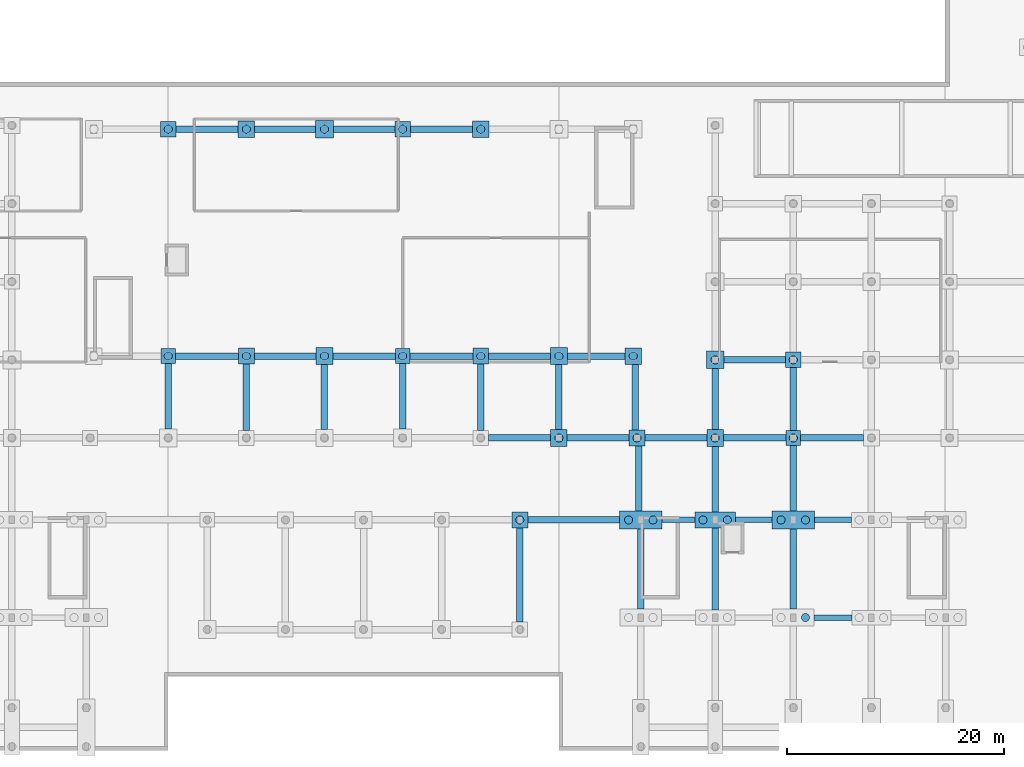
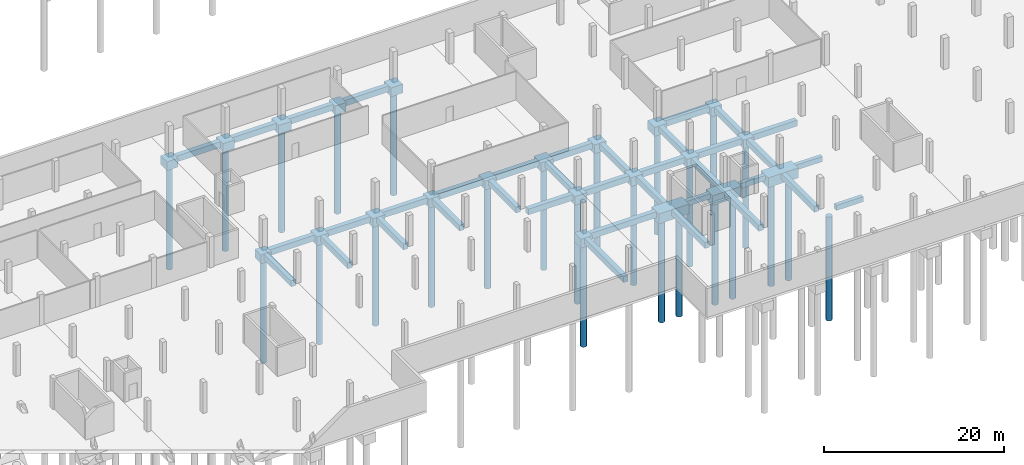
# One storey, part 5 of 36: 59 footings, 26 piles.
"""IFC4 building model written with IfcOpenShell, lengths in metres."""

from ifc_helpers import new_model, si_unit, derived_unit, direction, frame, origin, origin_2d, place, context, subcontext, project, spatial, polyline, rectangle, circle, outline, extrude, material, material_profile, profile_set, type_object, element, save


model = new_model("IFC4")

# Units and contexts
model_context = context("Model", 3, precision=1e-05, world=origin(), true_north=direction((0.0, 1.0)))
body_context = subcontext(model_context, "Body", "Model", "MODEL_VIEW")
ifc_project = project(units=[si_unit("LENGTHUNIT", "METRE"), si_unit("AREAUNIT", "SQUARE_METRE"), si_unit("VOLUMEUNIT", "CUBIC_METRE"), si_unit("PLANEANGLEUNIT", "RADIAN"), si_unit("MASSUNIT", "GRAM", prefix="KILO"), derived_unit("THERMALTRANSMITTANCEUNIT", [(si_unit("MASSUNIT", "GRAM", prefix="KILO"), 1), (si_unit("TIMEUNIT", "SECOND"), -3), (si_unit("THERMODYNAMICTEMPERATUREUNIT", "KELVIN"), -1)])], contexts=[model_context])

# Site, building, storey
site_placement = place(None, origin())
site = spatial("IfcSite", under=ifc_project, at=site_placement, CompositionType="ELEMENT")
building_placement = place(site_placement, origin())
building = spatial("IfcBuilding", under=site, at=building_placement, Name="Ochrekiln Boulevard Commons", CompositionType="ELEMENT")
storey_placement = place(building_placement, frame((0.0, 0.0, -4.199951171875)))
storey = spatial("IfcBuildingStorey", under=building, at=storey_placement, Name="B1", CompositionType="ELEMENT", Elevation=-4.199951171875)

# Footings
ifc_material = material(Name="Concrete C35/45", Category="concrete")
footing_type_1 = type_object("IfcFootingType", Name="CAP-RC-1350x1350x1200", PredefinedType="PILE_CAP", material=ifc_material)
for number, where, z_axis, x_axis, name in (
    (1, (64.800048828125, 36.35009765625, -1.5), (0.0, 0.0, 1.0), (1.0, 0.0, 0.0), "Reinforced Concrete Pile Cap PC-27 (84)"),
    (2, (86.39990234375, 36.35009765625, -1.5), (0.0, 0.0, 1.0), (1.0, 0.0, 0.0), "Reinforced Concrete Pile Cap PC-27 (108)"),
    (3, (122.39990234375, 28.800048828125, -1.5), (0.0, 0.0, 1.0), (1.0, 0.0, 0.0), "Reinforced Concrete Pile Cap PC-27 (150)"),
):
    element("IfcFooting", number, at=place(storey_placement, frame(where, z_axis=z_axis, x_axis=x_axis)), inside=storey, type_object=footing_type_1, Name=name, PredefinedType="PILE_CAP", context=body_context, shape_type="SweptSolid", body=[
        extrude(rectangle(XDim=1.35009765625, YDim=1.35009765625, at=origin_2d()), origin(), (0.0, 0.0, 1.0), 1.199951171875),
    ])
footing_type_2 = type_object("IfcFootingType", Name="CAP-RC-1410x1410x1200", PredefinedType="PILE_CAP", material=ifc_material)
for number, where, z_axis, x_axis, name in (
    (4, (64.800048828125, 57.25, -1.5), (0.0, 0.0, 1.0), (1.0, 0.0, 0.0), "Reinforced Concrete Pile Cap PC-28 (85)"),
    (5, (86.39990234375, 57.25, -1.5), (0.0, 0.0, 1.0), (1.0, 0.0, 0.0), "Reinforced Concrete Pile Cap PC-28 (109)"),
    (6, (122.39990234375, 36.0, -1.5), (0.0, 0.0, 1.0), (1.0, 0.0, 0.0), "Reinforced Concrete Pile Cap PC-28 (151)"),
):
    element("IfcFooting", number, at=place(storey_placement, frame(where, z_axis=z_axis, x_axis=x_axis)), inside=storey, type_object=footing_type_2, Name=name, PredefinedType="PILE_CAP", context=body_context, shape_type="SweptSolid", body=[
        extrude(rectangle(XDim=1.409912109375, YDim=1.409912109375, at=origin_2d()), origin(), (0.0, 0.0, 1.0), 1.199951171875),
    ])
footing_type_3 = type_object("IfcFootingType", Name="CAP-RC-1470x1470x1200", PredefinedType="PILE_CAP", material=ifc_material)
for number, where, z_axis, x_axis, name in (
    (7, (72.0, 36.35009765625, -1.5), (0.0, 0.0, 1.0), (1.0, 0.0, 0.0), "Reinforced Concrete Pile Cap PC-29 (92)"),
    (8, (93.60009765625, 36.35009765625, -1.5), (0.0, 0.0, 1.0), (1.0, 0.0, 0.0), "Reinforced Concrete Pile Cap PC-29 (116)"),
    (9, (97.199951171875, 21.25, -1.5), (0.0, 0.0, 1.0), (1.0, 0.0, 0.0), "Reinforced Concrete Pile Cap PC-29 (122)"),
    (10, (108.0, 28.800048828125, -1.5), (0.0, 0.0, 1.0), (1.0, 0.0, 0.0), "Reinforced Concrete Pile Cap PC-29 (134)"),
):
    element("IfcFooting", number, at=place(storey_placement, frame(where, z_axis=z_axis, x_axis=x_axis)), inside=storey, type_object=footing_type_3, Name=name, PredefinedType="PILE_CAP", context=body_context, shape_type="SweptSolid", body=[
        extrude(rectangle(XDim=1.469970703125, YDim=1.469970703125, at=origin_2d()), origin(), (0.0, 0.0, 1.0), 1.199951171875),
    ])
footing_type_4 = type_object("IfcFootingType", Name="CAP-RC-1530x1530x1200", PredefinedType="PILE_CAP", material=ifc_material)
for number, where, z_axis, x_axis, name in (
    (11, (72.0, 57.25, -1.5), (0.0, 0.0, 1.0), (1.0, 0.0, 0.0), "Reinforced Concrete Pile Cap PC-30 (93)"),
    (12, (93.60009765625, 57.25, -1.5), (0.0, 0.0, 1.0), (1.0, 0.0, 0.0), "Reinforced Concrete Pile Cap PC-30 (117)"),
    (13, (100.800048828125, 28.800048828125, -1.5), (0.0, 0.0, 1.0), (1.0, 0.0, 0.0), "Reinforced Concrete Pile Cap PC-30 (123)"),
    (14, (107.64990234375, 36.35009765625, -1.5), (0.0, 0.0, 1.0), (1.0, 0.0, 0.0), "Reinforced Concrete Pile Cap PC-30 (129)"),
    (15, (115.199951171875, 28.800048828125, -1.5), (0.0, 0.0, 1.0), (1.0, 0.0, 0.0), "Reinforced Concrete Pile Cap PC-30 (141)"),
):
    element("IfcFooting", number, at=place(storey_placement, frame(where, z_axis=z_axis, x_axis=x_axis)), inside=storey, type_object=footing_type_4, Name=name, PredefinedType="PILE_CAP", context=body_context, shape_type="SweptSolid", body=[
        extrude(rectangle(XDim=1.530029296875, YDim=1.530029296875, at=origin_2d()), origin(), (0.0, 0.0, 1.0), 1.199951171875),
    ])
footing_type_5 = type_object("IfcFootingType", Name="CAP-RC-1590x1590x1200", PredefinedType="PILE_CAP", material=ifc_material)
for number, where, z_axis, x_axis, name in (
    (16, (79.199951171875, 36.35009765625, -1.5), (0.0, 0.0, 1.0), (1.0, 0.0, 0.0), "Reinforced Concrete Pile Cap PC-26 (100)"),
    (17, (100.800048828125, 36.35009765625, -1.5), (0.0, 0.0, 1.0), (1.0, 0.0, 0.0), "Reinforced Concrete Pile Cap PC-26 (124)"),
    (18, (115.199951171875, 36.0, -1.5), (0.0, 0.0, 1.0), (1.0, 0.0, 0.0), "Reinforced Concrete Pile Cap PC-26 (142)"),
):
    element("IfcFooting", number, at=place(storey_placement, frame(where, z_axis=z_axis, x_axis=x_axis)), inside=storey, type_object=footing_type_5, Name=name, PredefinedType="PILE_CAP", context=body_context, shape_type="SweptSolid", body=[
        extrude(rectangle(XDim=1.590087890625, YDim=1.590087890625, at=origin_2d()), origin(), (0.0, 0.0, 1.0), 1.199951171875),
    ])
footing_type_6 = type_object("IfcFootingType", Name="CAP-RC-1650x1650x1200", PredefinedType="PILE_CAP", material=ifc_material)
footing_1_placement = place(storey_placement, frame((79.199951171875, 57.25, -1.5), z_axis=(0.0, 0.0, 1.0), x_axis=(1.0, 0.0, 0.0)))
element("IfcFooting", 19, at=footing_1_placement, inside=storey, type_object=footing_type_6, Name="Reinforced Concrete Pile Cap PC-17 (101)", PredefinedType="PILE_CAP", context=body_context, shape_type="SweptSolid", body=[
    extrude(rectangle(XDim=1.64990234375, YDim=1.64990234375, at=origin_2d()), origin(), (0.0, 0.0, 1.0), 1.199951171875),
])
footing_type_7 = type_object("IfcFootingType", Name="CAP-RC-3720x1470x1350", PredefinedType="PILE_CAP", material=ifc_material)
footing_2_placement = place(storey_placement, frame((115.199951171875, 21.25, -1.650146484375), z_axis=(0.0, 0.0, 1.0), x_axis=(1.0, 0.0, 0.0)))
element("IfcFooting", 20, at=footing_2_placement, inside=storey, type_object=footing_type_7, Name="Reinforced Concrete Pile Cap PC-35 (140)", PredefinedType="PILE_CAP", context=body_context, shape_type="SweptSolid", body=[
    extrude(rectangle(XDim=3.719970703125, YDim=1.469970703125, at=origin_2d()), origin(), (0.0, 0.0, 1.0), 1.35009765625),
])
footing_type_8 = type_object("IfcFootingType", Name="CAP-RC-3900x1650x1350", PredefinedType="PILE_CAP", material=ifc_material)
for number, where, z_axis, x_axis, name in (
    (21, (108.35009765625, 21.25, -1.650146484375), (0.0, 0.0, 1.0), (1.0, 0.0, 0.0), "Reinforced Concrete Pile Cap PC-32 (137)"),
    (22, (122.39990234375, 21.25, -1.650146484375), (0.0, 0.0, 1.0), (1.0, 0.0, 0.0), "Reinforced Concrete Pile Cap PC-32 (149)"),
):
    element("IfcFooting", number, at=place(storey_placement, frame(where, z_axis=z_axis, x_axis=x_axis)), inside=storey, type_object=footing_type_8, Name=name, PredefinedType="PILE_CAP", context=body_context, shape_type="SweptSolid", body=[
        extrude(rectangle(XDim=3.89990234375, YDim=1.64990234375, at=origin_2d()), origin(), (0.0, 0.0, 1.0), 1.35009765625),
    ])
footing_type_9 = type_object("IfcFootingType", Name="FTG-BEAM-500x700", PredefinedType="FOOTING_BEAM", material=ifc_material)
footing_3_placement = place(storey_placement, frame((0.0, 0.0, -1.0)))
element("IfcFooting", 23, at=footing_3_placement, inside=storey, type_object=footing_type_9, Name="Seismic Footing Tie Beam FB-5070 X-24", PredefinedType="FOOTING_BEAM", context=body_context, shape_type="SweptSolid", body=[
    extrude(outline(polyline([(110.300048828125, 21.0), (113.340087890625, 21.0), (113.340087890625, 21.5), (110.300048828125, 21.5), (110.300048828125, 21.0)])), origin(), (0.0, 0.0, 1.0), 0.699951171875),
])
footing_4_placement = place(storey_placement, frame((0.0, 0.0, -1.0)))
element("IfcFooting", 24, at=footing_4_placement, inside=storey, type_object=footing_type_9, Name="Seismic Footing Tie Beam FB-5070 X-25", PredefinedType="FOOTING_BEAM", context=body_context, shape_type="SweptSolid", body=[
    extrude(outline(polyline([(117.06005859375, 21.0), (120.449951171875, 21.0), (120.449951171875, 21.5), (117.06005859375, 21.5), (117.06005859375, 21.0)])), origin(), (0.0, 0.0, 1.0), 0.699951171875),
])
footing_5_placement = place(storey_placement, frame((0.0, 0.0, -1.0)))
element("IfcFooting", 25, at=footing_5_placement, inside=storey, type_object=footing_type_9, Name="Seismic Footing Tie Beam FB-5070 X-26", PredefinedType="FOOTING_BEAM", context=body_context, shape_type="SweptSolid", body=[
    extrude(outline(polyline([(124.35009765625, 21.0), (127.77001953125, 21.0), (127.77001953125, 21.5), (124.35009765625, 21.5), (124.35009765625, 21.0)])), origin(), (0.0, 0.0, 1.0), 0.699951171875),
])
footing_6_placement = place(storey_placement, frame((0.0, 0.0, -1.0)))
element("IfcFooting", 26, at=footing_6_placement, inside=storey, type_object=footing_type_9, Name="Seismic Footing Tie Beam FB-5070 X-154", PredefinedType="FOOTING_BEAM", context=body_context, shape_type="SweptSolid", body=[
    extrude(outline(polyline([(124.320068359375, 12.0), (127.800048828125, 12.0), (127.800048828125, 12.5), (124.320068359375, 12.5), (124.320068359375, 12.0)])), origin(), (0.0, 0.0, 1.0), 0.699951171875),
])
footing_type_10 = type_object("IfcFootingType", Name="FTG-BEAM-600x800", PredefinedType="FOOTING_BEAM", material=ifc_material)
footing_7_placement = place(storey_placement, frame((0.0, 0.0, -1.10009765625)))
element("IfcFooting", 27, at=footing_7_placement, inside=storey, type_object=footing_type_10, Name="Seismic Footing Tie Beam FB-6080 X-23", PredefinedType="FOOTING_BEAM", context=body_context, shape_type="SweptSolid", body=[
    extrude(outline(polyline([(97.93505859375, 20.949951171875), (106.39990234375, 20.949951171875), (106.39990234375, 21.550048828125), (97.93505859375, 21.550048828125), (97.93505859375, 20.949951171875)])), origin(), (0.0, 0.0, 1.0), 0.800048828125),
])
footing_8_placement = place(storey_placement, frame((0.0, 0.0, -1.10009765625)))
element("IfcFooting", 28, at=footing_8_placement, inside=storey, type_object=footing_type_10, Name="Seismic Footing Tie Beam FB-6080 X-42", PredefinedType="FOOTING_BEAM", context=body_context, shape_type="SweptSolid", body=[
    extrude(outline(polyline([(94.304931640625, 28.5), (100.034912109375, 28.5), (100.034912109375, 29.10009765625), (94.304931640625, 29.10009765625), (94.304931640625, 28.5)])), origin(), (0.0, 0.0, 1.0), 0.800048828125),
])
footing_9_placement = place(storey_placement, frame((0.0, 0.0, -1.10009765625)))
element("IfcFooting", 29, at=footing_9_placement, inside=storey, type_object=footing_type_10, Name="Seismic Footing Tie Beam FB-6080 X-43", PredefinedType="FOOTING_BEAM", context=body_context, shape_type="SweptSolid", body=[
    extrude(outline(polyline([(101.56494140625, 28.5), (107.264892578125, 28.5), (107.264892578125, 29.10009765625), (101.56494140625, 29.10009765625), (101.56494140625, 28.5)])), origin(), (0.0, 0.0, 1.0), 0.800048828125),
])
footing_10_placement = place(storey_placement, frame((0.0, 0.0, -1.10009765625)))
element("IfcFooting", 30, at=footing_10_placement, inside=storey, type_object=footing_type_10, Name="Seismic Footing Tie Beam FB-6080 X-44", PredefinedType="FOOTING_BEAM", context=body_context, shape_type="SweptSolid", body=[
    extrude(outline(polyline([(108.735107421875, 28.5), (114.43505859375, 28.5), (114.43505859375, 29.10009765625), (108.735107421875, 29.10009765625), (108.735107421875, 28.5)])), origin(), (0.0, 0.0, 1.0), 0.800048828125),
])
footing_11_placement = place(storey_placement, frame((0.0, 0.0, -1.10009765625)))
element("IfcFooting", 31, at=footing_11_placement, inside=storey, type_object=footing_type_10, Name="Seismic Footing Tie Beam FB-6080 X-45", PredefinedType="FOOTING_BEAM", context=body_context, shape_type="SweptSolid", body=[
    extrude(outline(polyline([(115.965087890625, 28.5), (121.72509765625, 28.5), (121.72509765625, 29.10009765625), (115.965087890625, 29.10009765625), (115.965087890625, 28.5)])), origin(), (0.0, 0.0, 1.0), 0.800048828125),
])
footing_12_placement = place(storey_placement, frame((0.0, 0.0, -1.10009765625)))
element("IfcFooting", 32, at=footing_12_placement, inside=storey, type_object=footing_type_10, Name="Seismic Footing Tie Beam FB-6080 X-46", PredefinedType="FOOTING_BEAM", context=body_context, shape_type="SweptSolid", body=[
    extrude(outline(polyline([(123.074951171875, 28.5), (128.864990234375, 28.5), (128.864990234375, 29.10009765625), (123.074951171875, 29.10009765625), (123.074951171875, 28.5)])), origin(), (0.0, 0.0, 1.0), 0.800048828125),
])
footing_13_placement = place(storey_placement, frame((0.0, 0.0, -1.10009765625)))
element("IfcFooting", 33, at=footing_13_placement, inside=storey, type_object=footing_type_10, Name="Seismic Footing Tie Beam FB-6080 X-58", PredefinedType="FOOTING_BEAM", context=body_context, shape_type="SweptSolid", body=[
    extrude(outline(polyline([(65.47509765625, 36.050048828125), (71.264892578125, 36.050048828125), (71.264892578125, 36.64990234375), (65.47509765625, 36.64990234375), (65.47509765625, 36.050048828125)])), origin(), (0.0, 0.0, 1.0), 0.800048828125),
])
footing_14_placement = place(storey_placement, frame((0.0, 0.0, -1.10009765625)))
element("IfcFooting", 34, at=footing_14_placement, inside=storey, type_object=footing_type_10, Name="Seismic Footing Tie Beam FB-6080 X-59", PredefinedType="FOOTING_BEAM", context=body_context, shape_type="SweptSolid", body=[
    extrude(outline(polyline([(72.735107421875, 36.050048828125), (78.405029296875, 36.050048828125), (78.405029296875, 36.64990234375), (72.735107421875, 36.64990234375), (72.735107421875, 36.050048828125)])), origin(), (0.0, 0.0, 1.0), 0.800048828125),
])
footing_15_placement = place(storey_placement, frame((0.0, 0.0, -1.10009765625)))
element("IfcFooting", 35, at=footing_15_placement, inside=storey, type_object=footing_type_10, Name="Seismic Footing Tie Beam FB-6080 X-60", PredefinedType="FOOTING_BEAM", context=body_context, shape_type="SweptSolid", body=[
    extrude(outline(polyline([(79.9951171875, 36.050048828125), (85.72509765625, 36.050048828125), (85.72509765625, 36.64990234375), (79.9951171875, 36.64990234375), (79.9951171875, 36.050048828125)])), origin(), (0.0, 0.0, 1.0), 0.800048828125),
])
footing_16_placement = place(storey_placement, frame((0.0, 0.0, -1.10009765625)))
element("IfcFooting", 36, at=footing_16_placement, inside=storey, type_object=footing_type_10, Name="Seismic Footing Tie Beam FB-6080 X-61", PredefinedType="FOOTING_BEAM", context=body_context, shape_type="SweptSolid", body=[
    extrude(outline(polyline([(87.074951171875, 36.050048828125), (92.864990234375, 36.050048828125), (92.864990234375, 36.64990234375), (87.074951171875, 36.64990234375), (87.074951171875, 36.050048828125)])), origin(), (0.0, 0.0, 1.0), 0.800048828125),
])
footing_17_placement = place(storey_placement, frame((0.0, 0.0, -1.10009765625)))
element("IfcFooting", 37, at=footing_17_placement, inside=storey, type_object=footing_type_10, Name="Seismic Footing Tie Beam FB-6080 X-62", PredefinedType="FOOTING_BEAM", context=body_context, shape_type="SweptSolid", body=[
    extrude(outline(polyline([(94.3349609375, 36.050048828125), (100.0048828125, 36.050048828125), (100.0048828125, 36.64990234375), (94.3349609375, 36.64990234375), (94.3349609375, 36.050048828125)])), origin(), (0.0, 0.0, 1.0), 0.800048828125),
])
footing_18_placement = place(storey_placement, frame((0.0, 0.0, -1.10009765625)))
element("IfcFooting", 38, at=footing_18_placement, inside=storey, type_object=footing_type_10, Name="Seismic Footing Tie Beam FB-6080 X-63", PredefinedType="FOOTING_BEAM", context=body_context, shape_type="SweptSolid", body=[
    extrude(outline(polyline([(101.594970703125, 36.050048828125), (106.885009765625, 36.050048828125), (106.885009765625, 36.64990234375), (101.594970703125, 36.64990234375), (101.594970703125, 36.050048828125)])), origin(), (0.0, 0.0, 1.0), 0.800048828125),
])
footing_19_placement = place(storey_placement, frame((0.0, 0.0, -1.10009765625)))
element("IfcFooting", 39, at=footing_19_placement, inside=storey, type_object=footing_type_10, Name="Seismic Footing Tie Beam FB-6080 X-64", PredefinedType="FOOTING_BEAM", context=body_context, shape_type="SweptSolid", body=[
    extrude(outline(polyline([(115.9951171875, 35.699951171875), (121.695068359375, 35.699951171875), (121.695068359375, 36.300048828125), (115.9951171875, 36.300048828125), (115.9951171875, 35.699951171875)])), origin(), (0.0, 0.0, 1.0), 0.800048828125),
])
footing_20_placement = place(storey_placement, frame((0.0, 0.0, -1.10009765625)))
element("IfcFooting", 40, at=footing_20_placement, inside=storey, type_object=footing_type_10, Name="Seismic Footing Tie Beam FB-6080 X-126", PredefinedType="FOOTING_BEAM", context=body_context, shape_type="SweptSolid", body=[
    extrude(outline(polyline([(65.5048828125, 56.949951171875), (71.235107421875, 56.949951171875), (71.235107421875, 57.550048828125), (65.5048828125, 57.550048828125), (65.5048828125, 56.949951171875)])), origin(), (0.0, 0.0, 1.0), 0.800048828125),
])
footing_21_placement = place(storey_placement, frame((0.0, 0.0, -1.10009765625)))
element("IfcFooting", 41, at=footing_21_placement, inside=storey, type_object=footing_type_10, Name="Seismic Footing Tie Beam FB-6080 X-127", PredefinedType="FOOTING_BEAM", context=body_context, shape_type="SweptSolid", body=[
    extrude(outline(polyline([(72.764892578125, 56.949951171875), (78.375, 56.949951171875), (78.375, 57.550048828125), (72.764892578125, 57.550048828125), (72.764892578125, 56.949951171875)])), origin(), (0.0, 0.0, 1.0), 0.800048828125),
])
footing_22_placement = place(storey_placement, frame((0.0, 0.0, -1.10009765625)))
element("IfcFooting", 42, at=footing_22_placement, inside=storey, type_object=footing_type_10, Name="Seismic Footing Tie Beam FB-6080 X-128", PredefinedType="FOOTING_BEAM", context=body_context, shape_type="SweptSolid", body=[
    extrude(outline(polyline([(80.02490234375, 56.949951171875), (85.695068359375, 56.949951171875), (85.695068359375, 57.550048828125), (80.02490234375, 57.550048828125), (80.02490234375, 56.949951171875)])), origin(), (0.0, 0.0, 1.0), 0.800048828125),
])
footing_23_placement = place(storey_placement, frame((0.0, 0.0, -1.10009765625)))
element("IfcFooting", 43, at=footing_23_placement, inside=storey, type_object=footing_type_10, Name="Seismic Footing Tie Beam FB-6080 X-129", PredefinedType="FOOTING_BEAM", context=body_context, shape_type="SweptSolid", body=[
    extrude(outline(polyline([(87.10498046875, 56.949951171875), (92.8349609375, 56.949951171875), (92.8349609375, 57.550048828125), (87.10498046875, 57.550048828125), (87.10498046875, 56.949951171875)])), origin(), (0.0, 0.0, 1.0), 0.800048828125),
])
footing_24_placement = place(storey_placement, frame((0.0, 0.0, -1.10009765625)))
element("IfcFooting", 44, at=footing_24_placement, inside=storey, type_object=footing_type_10, Name="Seismic Footing Tie Beam FB-6080 Y-229", PredefinedType="FOOTING_BEAM", context=body_context, shape_type="SweptSolid", body=[
    extrude(outline(polyline([(64.5, 29.625), (65.10009765625, 29.625), (65.10009765625, 35.675048828125), (64.5, 35.675048828125), (64.5, 29.625)])), origin(), (0.0, 0.0, 1.0), 0.800048828125),
])
footing_25_placement = place(storey_placement, frame((0.0, 0.0, -1.10009765625)))
element("IfcFooting", 45, at=footing_25_placement, inside=storey, type_object=footing_type_10, Name="Seismic Footing Tie Beam FB-6080 Y-233", PredefinedType="FOOTING_BEAM", context=body_context, shape_type="SweptSolid", body=[
    extrude(outline(polyline([(71.699951171875, 29.5048828125), (72.300048828125, 29.5048828125), (72.300048828125, 35.614990234375), (71.699951171875, 35.614990234375), (71.699951171875, 29.5048828125)])), origin(), (0.0, 0.0, 1.0), 0.800048828125),
])
footing_26_placement = place(storey_placement, frame((0.0, 0.0, -1.10009765625)))
element("IfcFooting", 46, at=footing_26_placement, inside=storey, type_object=footing_type_10, Name="Seismic Footing Tie Beam FB-6080 Y-237", PredefinedType="FOOTING_BEAM", context=body_context, shape_type="SweptSolid", body=[
    extrude(outline(polyline([(78.89990234375, 29.56494140625), (79.5, 29.56494140625), (79.5, 35.554931640625), (78.89990234375, 35.554931640625), (78.89990234375, 29.56494140625)])), origin(), (0.0, 0.0, 1.0), 0.800048828125),
])
footing_27_placement = place(storey_placement, frame((0.0, 0.0, -1.10009765625)))
element("IfcFooting", 47, at=footing_27_placement, inside=storey, type_object=footing_type_10, Name="Seismic Footing Tie Beam FB-6080 Y-241", PredefinedType="FOOTING_BEAM", context=body_context, shape_type="SweptSolid", body=[
    extrude(outline(polyline([(86.10009765625, 29.625), (86.699951171875, 29.625), (86.699951171875, 35.675048828125), (86.10009765625, 35.675048828125), (86.10009765625, 29.625)])), origin(), (0.0, 0.0, 1.0), 0.800048828125),
])
footing_28_placement = place(storey_placement, frame((0.0, 0.0, -1.10009765625)))
element("IfcFooting", 48, at=footing_28_placement, inside=storey, type_object=footing_type_10, Name="Seismic Footing Tie Beam FB-6080 Y-245", PredefinedType="FOOTING_BEAM", context=body_context, shape_type="SweptSolid", body=[
    extrude(outline(polyline([(93.300048828125, 29.5048828125), (93.89990234375, 29.5048828125), (93.89990234375, 35.614990234375), (93.300048828125, 35.614990234375), (93.300048828125, 29.5048828125)])), origin(), (0.0, 0.0, 1.0), 0.800048828125),
])
footing_29_placement = place(storey_placement, frame((0.0, 0.0, -1.10009765625)))
element("IfcFooting", 49, at=footing_29_placement, inside=storey, type_object=footing_type_10, Name="Seismic Footing Tie Beam FB-6080 Y-248", PredefinedType="FOOTING_BEAM", context=body_context, shape_type="SweptSolid", body=[
    extrude(outline(polyline([(96.89990234375, 11.85498046875), (97.5, 11.85498046875), (97.5, 20.514892578125), (96.89990234375, 20.514892578125), (96.89990234375, 11.85498046875)])), origin(), (0.0, 0.0, 1.0), 0.800048828125),
])
footing_30_placement = place(storey_placement, frame((0.0, 0.0, -1.10009765625)))
element("IfcFooting", 50, at=footing_30_placement, inside=storey, type_object=footing_type_10, Name="Seismic Footing Tie Beam FB-6080 Y-249", PredefinedType="FOOTING_BEAM", context=body_context, shape_type="SweptSolid", body=[
    extrude(outline(polyline([(100.5, 29.56494140625), (101.10009765625, 29.56494140625), (101.10009765625, 35.554931640625), (100.5, 35.554931640625), (100.5, 29.56494140625)])), origin(), (0.0, 0.0, 1.0), 0.800048828125),
])
footing_31_placement = place(storey_placement, frame((0.0, 0.0, -1.10009765625)))
element("IfcFooting", 51, at=footing_31_placement, inside=storey, type_object=footing_type_10, Name="Seismic Footing Tie Beam FB-6080 Y-253", PredefinedType="FOOTING_BEAM", context=body_context, shape_type="SweptSolid", body=[
    extrude(outline(polyline([(108.050048828125, 13.044921875), (108.64990234375, 13.044921875), (108.64990234375, 20.425048828125), (108.050048828125, 20.425048828125), (108.050048828125, 13.044921875)])), origin(), (0.0, 0.0, 1.0), 0.800048828125),
])
footing_32_placement = place(storey_placement, frame((0.0, 0.0, -1.10009765625)))
element("IfcFooting", 52, at=footing_32_placement, inside=storey, type_object=footing_type_10, Name="Seismic Footing Tie Beam FB-6080 Y-254", PredefinedType="FOOTING_BEAM", context=body_context, shape_type="SweptSolid", body=[
    extrude(outline(polyline([(107.875, 22.074951171875), (108.47509765625, 22.074951171875), (108.47509765625, 28.06494140625), (107.875, 28.06494140625), (107.875, 22.074951171875)])), origin(), (0.0, 0.0, 1.0), 0.800048828125),
])
footing_33_placement = place(storey_placement, frame((0.0, 0.0, -1.10009765625)))
element("IfcFooting", 53, at=footing_33_placement, inside=storey, type_object=footing_type_10, Name="Seismic Footing Tie Beam FB-6080 Y-255", PredefinedType="FOOTING_BEAM", context=body_context, shape_type="SweptSolid", body=[
    extrude(outline(polyline([(107.52490234375, 29.534912109375), (108.125, 29.534912109375), (108.125, 35.5849609375), (107.52490234375, 35.5849609375), (107.52490234375, 29.534912109375)])), origin(), (0.0, 0.0, 1.0), 0.800048828125),
])
footing_34_placement = place(storey_placement, frame((0.0, 0.0, -1.10009765625)))
element("IfcFooting", 54, at=footing_34_placement, inside=storey, type_object=footing_type_10, Name="Seismic Footing Tie Beam FB-6080 Y-259", PredefinedType="FOOTING_BEAM", context=body_context, shape_type="SweptSolid", body=[
    extrude(outline(polyline([(114.89990234375, 12.955078125), (115.5, 12.955078125), (115.5, 20.514892578125), (114.89990234375, 20.514892578125), (114.89990234375, 12.955078125)])), origin(), (0.0, 0.0, 1.0), 0.800048828125),
])
footing_35_placement = place(storey_placement, frame((0.0, 0.0, -1.10009765625)))
element("IfcFooting", 55, at=footing_35_placement, inside=storey, type_object=footing_type_10, Name="Seismic Footing Tie Beam FB-6080 Y-260", PredefinedType="FOOTING_BEAM", context=body_context, shape_type="SweptSolid", body=[
    extrude(outline(polyline([(114.89990234375, 21.985107421875), (115.5, 21.985107421875), (115.5, 28.034912109375), (114.89990234375, 28.034912109375), (114.89990234375, 21.985107421875)])), origin(), (0.0, 0.0, 1.0), 0.800048828125),
])
footing_36_placement = place(storey_placement, frame((0.0, 0.0, -1.10009765625)))
element("IfcFooting", 56, at=footing_36_placement, inside=storey, type_object=footing_type_10, Name="Seismic Footing Tie Beam FB-6080 Y-261", PredefinedType="FOOTING_BEAM", context=body_context, shape_type="SweptSolid", body=[
    extrude(outline(polyline([(114.89990234375, 29.56494140625), (115.5, 29.56494140625), (115.5, 35.205078125), (114.89990234375, 35.205078125), (114.89990234375, 29.56494140625)])), origin(), (0.0, 0.0, 1.0), 0.800048828125),
])
footing_37_placement = place(storey_placement, frame((0.0, 0.0, -1.10009765625)))
element("IfcFooting", 57, at=footing_37_placement, inside=storey, type_object=footing_type_10, Name="Seismic Footing Tie Beam FB-6080 Y-266", PredefinedType="FOOTING_BEAM", context=body_context, shape_type="SweptSolid", body=[
    extrude(outline(polyline([(122.10009765625, 13.044921875), (122.699951171875, 13.044921875), (122.699951171875, 20.425048828125), (122.10009765625, 20.425048828125), (122.10009765625, 13.044921875)])), origin(), (0.0, 0.0, 1.0), 0.800048828125),
])
footing_38_placement = place(storey_placement, frame((0.0, 0.0, -1.10009765625)))
element("IfcFooting", 58, at=footing_38_placement, inside=storey, type_object=footing_type_10, Name="Seismic Footing Tie Beam FB-6080 Y-267", PredefinedType="FOOTING_BEAM", context=body_context, shape_type="SweptSolid", body=[
    extrude(outline(polyline([(122.10009765625, 22.074951171875), (122.699951171875, 22.074951171875), (122.699951171875, 28.125), (122.10009765625, 28.125), (122.10009765625, 22.074951171875)])), origin(), (0.0, 0.0, 1.0), 0.800048828125),
])
footing_39_placement = place(storey_placement, frame((0.0, 0.0, -1.10009765625)))
element("IfcFooting", 59, at=footing_39_placement, inside=storey, type_object=footing_type_10, Name="Seismic Footing Tie Beam FB-6080 Y-268", PredefinedType="FOOTING_BEAM", context=body_context, shape_type="SweptSolid", body=[
    extrude(outline(polyline([(122.10009765625, 29.47509765625), (122.699951171875, 29.47509765625), (122.699951171875, 35.294921875), (122.10009765625, 35.294921875), (122.10009765625, 29.47509765625)])), origin(), (0.0, 0.0, 1.0), 0.800048828125),
])

# Piles
ifc_material_profile = material_profile(ifc_material, circle(Radius=0.375, at=origin_2d()), Name="PILE-D750")
ifc_profile_set = profile_set([ifc_material_profile], Name="Concrete C35/45")
pile_type = type_object("IfcPileType", Name="PILE-BORED-750", PredefinedType="BORED", material=ifc_profile_set)
for number, where, z_axis, x_axis, name in (
    (60, (64.800048828125, 36.35009765625, -1.400146484375), (0.0, 0.0, -1.0), (1.0, 0.0, 0.0), "Caliche-Socketed Bored Pile BP-750 (84.1)"),
    (61, (64.800048828125, 57.25, -1.400146484375), (0.0, 0.0, -1.0), (1.0, 0.0, 0.0), "Caliche-Socketed Bored Pile BP-750 (85.1)"),
    (62, (72.0, 36.35009765625, -1.400146484375), (0.0, 0.0, -1.0), (1.0, 0.0, 0.0), "Caliche-Socketed Bored Pile BP-750 (92.1)"),
    (63, (72.0, 57.25, -1.400146484375), (0.0, 0.0, -1.0), (1.0, 0.0, 0.0), "Caliche-Socketed Bored Pile BP-750 (93.1)"),
    (64, (79.199951171875, 36.35009765625, -1.400146484375), (0.0, 0.0, -1.0), (1.0, 0.0, 0.0), "Caliche-Socketed Bored Pile BP-750 (100.1)"),
    (65, (79.199951171875, 57.25, -1.400146484375), (0.0, 0.0, -1.0), (1.0, 0.0, 0.0), "Caliche-Socketed Bored Pile BP-750 (101.1)"),
    (66, (86.39990234375, 36.35009765625, -1.400146484375), (0.0, 0.0, -1.0), (1.0, 0.0, 0.0), "Caliche-Socketed Bored Pile BP-750 (108.1)"),
    (67, (86.39990234375, 57.25, -1.400146484375), (0.0, 0.0, -1.0), (1.0, 0.0, 0.0), "Caliche-Socketed Bored Pile BP-750 (109.1)"),
    (68, (93.60009765625, 36.35009765625, -1.400146484375), (0.0, 0.0, -1.0), (1.0, 0.0, 0.0), "Caliche-Socketed Bored Pile BP-750 (116.1)"),
    (69, (93.60009765625, 57.25, -1.400146484375), (0.0, 0.0, -1.0), (1.0, 0.0, 0.0), "Caliche-Socketed Bored Pile BP-750 (117.1)"),
    (70, (97.199951171875, 21.25, -1.400146484375), (0.0, 0.0, -1.0), (1.0, 0.0, 0.0), "Caliche-Socketed Bored Pile BP-750 (122.1)"),
    (71, (100.800048828125, 28.800048828125, -1.400146484375), (0.0, 0.0, -1.0), (1.0, 0.0, 0.0), "Caliche-Socketed Bored Pile BP-750 (123.1)"),
    (72, (100.800048828125, 36.35009765625, -1.400146484375), (0.0, 0.0, -1.0), (1.0, 0.0, 0.0), "Caliche-Socketed Bored Pile BP-750 (124.1)"),
    (73, (107.64990234375, 36.35009765625, -1.400146484375), (0.0, 0.0, -1.0), (1.0, 0.0, 0.0), "Caliche-Socketed Bored Pile BP-750 (129.1)"),
    (74, (108.0, 28.800048828125, -1.400146484375), (0.0, 0.0, -1.0), (1.0, 0.0, 0.0), "Caliche-Socketed Bored Pile BP-750 (134.1)"),
):
    element("IfcPile", number, at=place(storey_placement, frame(where, z_axis=z_axis, x_axis=x_axis)), inside=storey, type_object=pile_type, Name=name, PredefinedType="BORED", context=body_context, shape_type="SweptSolid", body=[
        extrude(circle(Radius=0.375, at=origin_2d()), origin(), (0.0, 0.0, 1.0), 14.0),
    ])
for number, where, z_axis, x_axis, name in (
    (75, (107.22509765625, 21.25, -1.550048828125), (0.0, 0.0, -1.0), (1.0, 0.0, 0.0), "Caliche-Socketed Bored Pile BP-750 (137.1)"),
    (76, (109.47509765625, 21.25, -1.550048828125), (0.0, 0.0, -1.0), (1.0, 0.0, 0.0), "Caliche-Socketed Bored Pile BP-750 (137.2)"),
    (77, (114.074951171875, 21.25, -1.550048828125), (0.0, 0.0, -1.0), (1.0, 0.0, 0.0), "Caliche-Socketed Bored Pile BP-750 (140.1)"),
    (78, (116.324951171875, 21.25, -1.550048828125), (0.0, 0.0, -1.0), (1.0, 0.0, 0.0), "Caliche-Socketed Bored Pile BP-750 (140.2)"),
):
    element("IfcPile", number, at=place(storey_placement, frame(where, z_axis=z_axis, x_axis=x_axis)), inside=storey, type_object=pile_type, Name=name, PredefinedType="BORED", context=body_context, shape_type="SweptSolid", body=[
        extrude(circle(Radius=0.375, at=origin_2d()), origin(), (0.0, 0.0, 1.0), 14.050048828125),
    ])
for number, where, z_axis, x_axis, name in (
    (79, (115.199951171875, 28.800048828125, -1.400146484375), (0.0, 0.0, -1.0), (1.0, 0.0, 0.0), "Caliche-Socketed Bored Pile BP-750 (141.1)"),
    (80, (115.199951171875, 36.0, -1.400146484375), (0.0, 0.0, -1.0), (1.0, 0.0, 0.0), "Caliche-Socketed Bored Pile BP-750 (142.1)"),
):
    element("IfcPile", number, at=place(storey_placement, frame(where, z_axis=z_axis, x_axis=x_axis)), inside=storey, type_object=pile_type, Name=name, PredefinedType="BORED", context=body_context, shape_type="SweptSolid", body=[
        extrude(circle(Radius=0.375, at=origin_2d()), origin(), (0.0, 0.0, 1.0), 14.0),
    ])
pile_placement = place(storey_placement, frame((123.52490234375, 12.25, -1.5), z_axis=(0.0, 0.0, -1.0), x_axis=(1.0, 0.0, 0.0)))
element("IfcPile", 81, at=pile_placement, inside=storey, type_object=pile_type, Name="Caliche-Socketed Bored Pile BP-750 (148.2)", PredefinedType="BORED", context=body_context, shape_type="SweptSolid", body=[
    extrude(circle(Radius=0.375, at=origin_2d()), origin(), (0.0, 0.0, 1.0), 14.10009765625),
])
for number, where, z_axis, x_axis, name in (
    (82, (121.27490234375, 21.25, -1.550048828125), (0.0, 0.0, -1.0), (1.0, 0.0, 0.0), "Caliche-Socketed Bored Pile BP-750 (149.1)"),
    (83, (123.52490234375, 21.25, -1.550048828125), (0.0, 0.0, -1.0), (1.0, 0.0, 0.0), "Caliche-Socketed Bored Pile BP-750 (149.2)"),
):
    element("IfcPile", number, at=place(storey_placement, frame(where, z_axis=z_axis, x_axis=x_axis)), inside=storey, type_object=pile_type, Name=name, PredefinedType="BORED", context=body_context, shape_type="SweptSolid", body=[
        extrude(circle(Radius=0.375, at=origin_2d()), origin(), (0.0, 0.0, 1.0), 14.050048828125),
    ])
for number, where, z_axis, x_axis, name in (
    (84, (122.39990234375, 28.800048828125, -1.400146484375), (0.0, 0.0, -1.0), (1.0, 0.0, 0.0), "Caliche-Socketed Bored Pile BP-750 (150.1)"),
    (85, (122.39990234375, 36.0, -1.400146484375), (0.0, 0.0, -1.0), (1.0, 0.0, 0.0), "Caliche-Socketed Bored Pile BP-750 (151.1)"),
):
    element("IfcPile", number, at=place(storey_placement, frame(where, z_axis=z_axis, x_axis=x_axis)), inside=storey, type_object=pile_type, Name=name, PredefinedType="BORED", context=body_context, shape_type="SweptSolid", body=[
        extrude(circle(Radius=0.375, at=origin_2d()), origin(), (0.0, 0.0, 1.0), 14.0),
    ])

save(model, "model.ifc")
